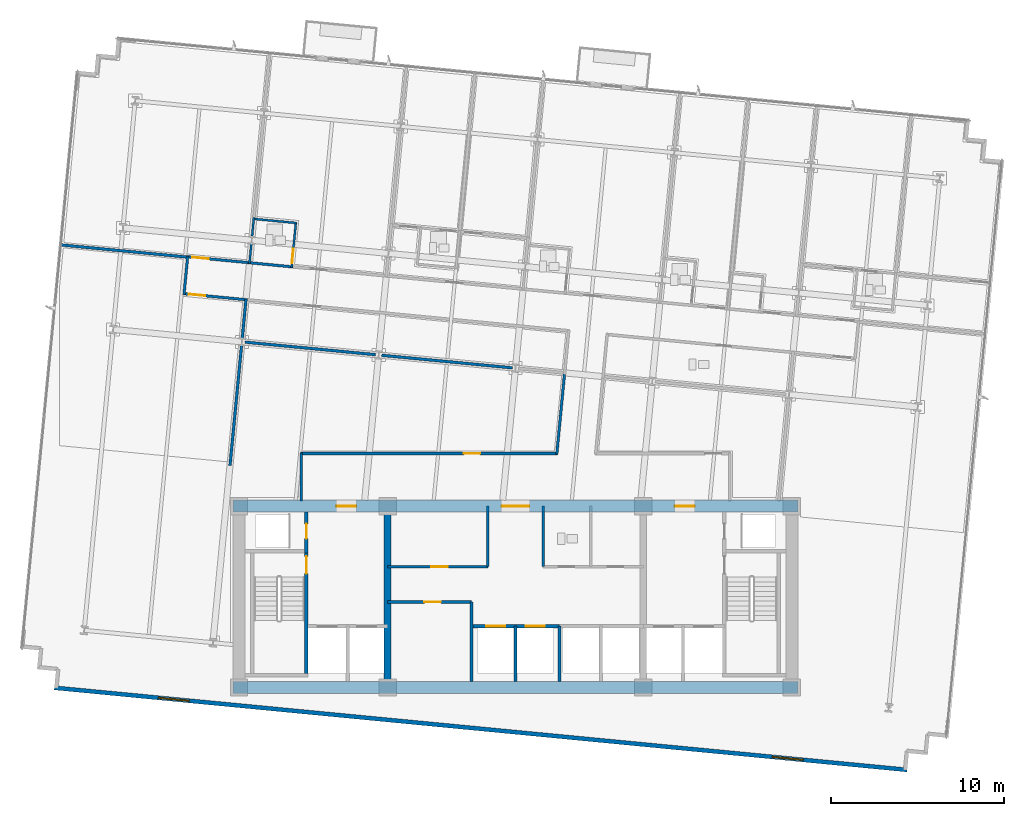
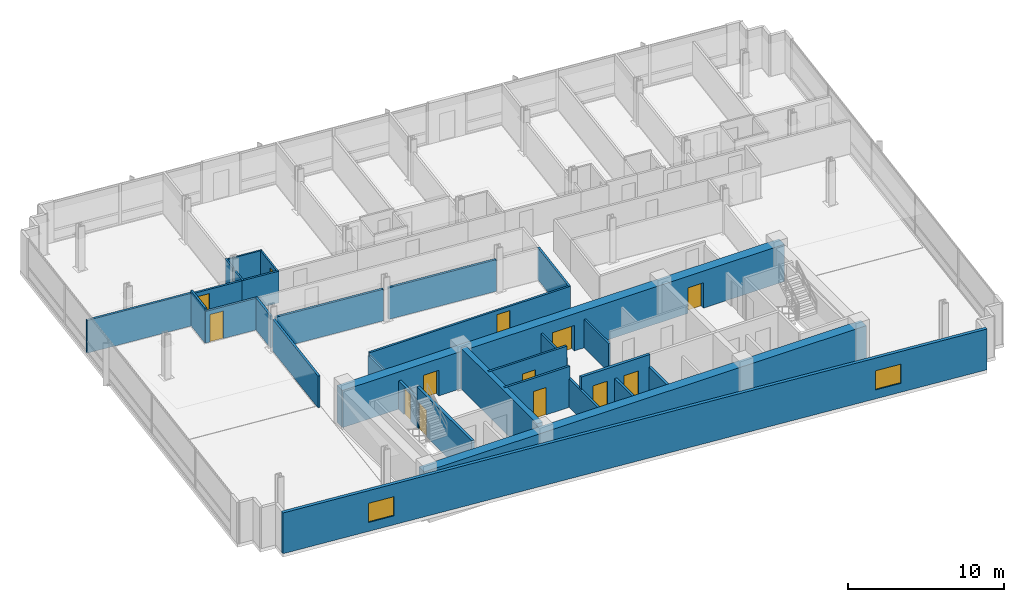
# One storey, part 10 of 17: 30 walls, 13 doors, 2 windows, 15 openings.
"""IFC4 building model written with IfcOpenShell, lengths in metres."""

from ifc_helpers import new_model, si_unit, direction, frame, frame_2d, origin, place, context, subcontext, project, spatial, rectangle, extrude, material, layer, layer_set, type_object, element, fill, save


model = new_model("IFC4")

# Units and contexts
model_context = context("Model", 3, precision=1e-05, world=origin(), true_north=direction((0.0, 1.0)))
body_context = subcontext(model_context, "Body", "Model", "MODEL_VIEW")
ifc_project = project(units=[si_unit("LENGTHUNIT", "METRE"), si_unit("AREAUNIT", "SQUARE_METRE"), si_unit("VOLUMEUNIT", "CUBIC_METRE"), si_unit("PLANEANGLEUNIT", "RADIAN"), si_unit("MASSUNIT", "GRAM", prefix="KILO")], contexts=[model_context])

# Site, building, storey
site_placement = place(None, origin())
site = spatial("IfcSite", under=ifc_project, at=site_placement, CompositionType="ELEMENT")
building_placement = place(site_placement, origin())
building = spatial("IfcBuilding", under=site, at=building_placement, Name="Solmavex Isthmus Hotel", CompositionType="ELEMENT")
storey_placement = place(building_placement, frame((0.0, 0.0, 139.35009765625)))
storey = spatial("IfcBuildingStorey", under=building, at=storey_placement, Name="L37", CompositionType="ELEMENT", Elevation=139.35009765625)

# Wall, openings, windows
ifc_material_1 = material(Name="Precast Concrete C40/50", Category="concrete")
ifc_layer_1 = layer(ifc_material_1, 0.25)
ifc_layer_set_1 = layer_set([ifc_layer_1], Name="Precast Concrete C40/50")
wall_type_1 = type_object("IfcWallType", Name="EW-TWR-250", PredefinedType="STANDARD", material=ifc_layer_set_1)
wall_1_placement = place(storey_placement, frame((-26.6953125, -13.01611328125, 0.0), z_axis=(0.0, 0.0, 1.0), x_axis=(0.995396268366, -0.095845025554, 0.0)))
wall_1 = element("IfcWall", 1, at=wall_1_placement, inside=storey, type_object=wall_type_1, Name="Tower Rear South Facade Wall L37", PredefinedType="STANDARD", context=body_context, shape_type="SweptSolid", body=[
    extrude(rectangle(XDim=49.599853515625, YDim=0.239990234375, at=frame_2d((24.7998046875, 0.0))), origin(), (0.0, 0.0, 1.0), 3.18994140625),
])
opening_1_placement = place(wall_1_placement, frame((6.0439453125, 0.0, 0.699951171875)))
opening_1 = element("IfcOpeningElement", 2, at=opening_1_placement, cuts=wall_1, Name="Opening WN-02", PredefinedType="OPENING", context=body_context, shape_type="SweptSolid", body=[
    extrude(rectangle(XDim=1.800048828125, YDim=1.5, at=frame_2d((0.89990234375, 0.75))), frame((0.0, 0.1298828125, 0.0), z_axis=(0.0, -1.0, 0.0), x_axis=(1.0, 0.0, 0.0)), (0.0, 0.0, 1.0), 0.260009765625),
])
opening_2_placement = place(wall_1_placement, frame((41.756103515625, 0.0, 0.699951171875)))
opening_2 = element("IfcOpeningElement", 3, at=opening_2_placement, cuts=wall_1, Name="Opening WN-02", PredefinedType="OPENING", context=body_context, shape_type="SweptSolid", body=[
    extrude(rectangle(XDim=1.800048828125, YDim=1.5, at=frame_2d((0.89990234375, 0.75))), frame((0.0, 0.1298828125, 0.0), z_axis=(0.0, -1.0, 0.0), x_axis=(1.0, 0.0, 0.0)), (0.0, 0.0, 1.0), 0.260009765625),
])
ifc_material_2 = material(Name="Clear low-E laminated glass", Category="glass")
window_type = type_object("IfcWindowType", Name="WIN-TWR-1800", PartitioningType="SINGLE_PANEL", PredefinedType="WINDOW", material=ifc_material_2)
window_1_placement = place(opening_1_placement, origin())
window_1 = element("IfcWindow", 4, at=window_1_placement, inside=storey, type_object=window_type, Name="South Facade Vision Window L37-S1", OverallHeight=1.5, OverallWidth=1.800048828125, PartitioningType="SINGLE_PANEL", PredefinedType="WINDOW", context=body_context, shape_type="SweptSolid", body=[
    extrude(rectangle(XDim=1.800048828125, YDim=1.5, at=frame_2d((0.89990234375, 0.75))), frame((0.0, 0.030029296875, 0.0), z_axis=(0.0, -1.0, 0.0), x_axis=(1.0, 0.0, 0.0)), (0.0, 0.0, 1.0), 0.06005859375),
])
fill(opening_1, window_1)
window_2_placement = place(opening_2_placement, origin())
window_2 = element("IfcWindow", 5, at=window_2_placement, inside=storey, type_object=window_type, Name="South Facade Vision Window L37-S2", OverallHeight=1.5, OverallWidth=1.800048828125, PartitioningType="SINGLE_PANEL", PredefinedType="WINDOW", context=body_context, shape_type="SweptSolid", body=[
    extrude(rectangle(XDim=1.800048828125, YDim=1.5, at=frame_2d((0.89990234375, 0.75))), frame((0.0, 0.030029296875, 0.0), z_axis=(0.0, -1.0, 0.0), x_axis=(1.0, 0.0, 0.0)), (0.0, 0.0, 1.0), 0.06005859375),
])
fill(opening_2, window_2)

# Wall, opening, door
ifc_material_3 = material(Name="Gypsum plasterboard lining", Category="gypsum")
ifc_layer_2 = layer(ifc_material_3, 0.159912109375)
ifc_layer_set_2 = layer_set([ifc_layer_2], Name="Gypsum plasterboard lining")
wall_type_2 = type_object("IfcWallType", Name="IW-COMP-160", PredefinedType="PARTITIONING", material=ifc_layer_set_2)
wall_2_placement = place(storey_placement, frame((-7.39990234375, -8.050048828125, 0.0), z_axis=(0.0, 0.0, 1.0), x_axis=(1.0, 0.0, 0.0)))
wall_2 = element("IfcWall", 6, at=wall_2_placement, inside=storey, type_object=wall_type_2, Name="Interior Partition Wall W-L37-REC-PLL-N", PredefinedType="PARTITIONING", context=body_context, shape_type="SweptSolid", body=[
    extrude(rectangle(XDim=4.849853515625, YDim=0.159912109375, at=frame_2d((2.4248046875, 0.0))), origin(), (0.0, 0.0, 1.0), 3.18994140625),
])
opening_3_placement = place(wall_2_placement, frame((2.125, 0.0, 0.0)))
opening_3 = element("IfcOpeningElement", 7, at=opening_3_placement, cuts=wall_2, Name="Opening ID-C095", PredefinedType="OPENING", context=body_context, shape_type="SweptSolid", body=[
    extrude(rectangle(XDim=0.949951171875, YDim=2.14990234375, at=frame_2d((0.47509765625, 1.074951171875))), frame((0.0, 0.08984375, 0.0), z_axis=(0.0, -1.0, 0.0), x_axis=(1.0, 0.0, 0.0)), (0.0, 0.0, 1.0), 0.179931640625),
])
ifc_material_4 = material(Name="Hardwood timber", Category="wood")
door_type_1 = type_object("IfcDoorType", Name="IDR-FD60-0950", OperationType="NOTDEFINED", PredefinedType="DOOR", material=ifc_material_4)
door_1_placement = place(opening_3_placement, origin())
door_1 = element("IfcDoor", 8, at=door_1_placement, inside=storey, type_object=door_type_1, Name="Linen Reserve Door L37", OperationType="SINGLE_SWING_LEFT", OverallHeight=2.14990234375, OverallWidth=0.949951171875, PredefinedType="DOOR", context=body_context, shape_type="SweptSolid", body=[
    extrude(rectangle(XDim=0.949951171875, YDim=2.14990234375, at=frame_2d((0.47509765625, 1.074951171875))), frame((0.0, 0.02490234375, 0.0), z_axis=(0.0, -1.0, 0.0), x_axis=(1.0, 0.0, 0.0)), (0.0, 0.0, 1.0), 0.050048828125),
])
fill(opening_3, door_1)

# Walls
wall_3_placement = place(storey_placement, frame((-2.550048828125, -12.64990234375, 0.0), z_axis=(0.0, 0.0, 1.0), x_axis=(0.0, 1.0, 0.0)))
element("IfcWall", 9, at=wall_3_placement, inside=storey, type_object=wall_type_2, Name="Interior Partition Wall W-L37-REC-PLL-E", PredefinedType="PARTITIONING", context=body_context, shape_type="SweptSolid", body=[
    extrude(rectangle(XDim=4.599853515625, YDim=0.159912109375, at=frame_2d((2.2998046875, 0.0))), origin(), (0.0, 0.0, 1.0), 2.224853515625),
])
wall_4_placement = place(storey_placement, frame((-18.942138671875, 11.91552734375, 0.0), z_axis=(0.0, 0.0, 1.0), x_axis=(-0.995395927026, 0.095848570461, 0.0)))
element("IfcWall", 10, at=wall_4_placement, inside=storey, type_object=wall_type_2, Name="Interior Partition Wall W-L37-P030", PredefinedType="PARTITIONING", context=body_context, shape_type="SweptSolid", body=[
    extrude(rectangle(XDim=7.44775390625, YDim=0.159912109375, at=frame_2d((3.723876953125, 0.0))), origin(), (0.0, 0.0, 1.0), 2.557373046875),
])
wall_5_placement = place(storey_placement, frame((-15.820556640625, 7.190673828125, 0.0), z_axis=(0.0, 0.0, 1.0), x_axis=(0.09580488871, 0.995400132258, 0.0)))
element("IfcWall", 11, at=wall_5_placement, inside=storey, type_object=wall_type_2, Name="Interior Partition Wall W-L37-P075", PredefinedType="PARTITIONING", context=body_context, shape_type="SweptSolid", body=[
    extrude(rectangle(XDim=2.31396484375, YDim=0.159912109375, at=frame_2d((1.156982421875, 0.0))), origin(), (0.0, 0.0, 1.0), 2.4794921875),
])
for number, where, z_axis, x_axis, name in (
    (12, (-8.09326171875, 6.269775390625, 0.0), (0.0, 0.0, 1.0), (-0.995396962155, 0.095837819954, 0.0), "Interior Partition Wall W-L37-P076"),
    (13, (-0.173828125, 5.507080078125, 0.0), (0.0, 0.0, 1.0), (-0.995393898805, 0.095869631385, 0.0), "Interior Partition Wall W-L37-P077"),
):
    element("IfcWall", number, at=place(storey_placement, frame(where, z_axis=z_axis, x_axis=x_axis)), inside=storey, type_object=wall_type_2, Name=name, PredefinedType="PARTITIONING", context=body_context, shape_type="SweptSolid", body=[
        extrude(rectangle(XDim=7.60400390625, YDim=0.159912109375, at=frame_2d((3.802001953125, 0.0))), origin(), (0.0, 0.0, 1.0), 2.4794921875),
    ])
wall_6_placement = place(storey_placement, frame((-15.854248046875, 6.84033203125, 0.0), z_axis=(0.0, 0.0, 1.0), x_axis=(-0.095860309466, -0.995394796585, 0.0)))
element("IfcWall", 14, at=wall_6_placement, inside=storey, type_object=wall_type_2, Name="Interior Partition Wall W-L37-P080", PredefinedType="PARTITIONING", context=body_context, shape_type="SweptSolid", body=[
    extrude(rectangle(XDim=7.013916015625, YDim=0.159912109375, at=frame_2d((3.5068359375, 0.0))), origin(), (0.0, 0.0, 1.0), 2.4794921875),
])

# Wall, opening, door
ifc_layer_3 = layer(ifc_material_3, 0.14990234375)
ifc_layer_set_3 = layer_set([ifc_layer_3], Name="Gypsum plasterboard lining")
wall_type_3 = type_object("IfcWallType", Name="IW-CORR-150", PredefinedType="PARTITIONING", material=ifc_layer_set_3)
wall_7_placement = place(storey_placement, frame((-7.39990234375, -6.0, 0.0), z_axis=(0.0, 0.0, 1.0), x_axis=(1.0, 0.0, 0.0)))
wall_7 = element("IfcWall", 15, at=wall_7_placement, inside=storey, type_object=wall_type_3, Name="Interior Partition Wall W-L37-BOH-WS", PredefinedType="PARTITIONING", context=body_context, shape_type="SweptSolid", body=[
    extrude(rectangle(XDim=5.7998046875, YDim=0.14990234375, at=frame_2d((2.89990234375, 0.0))), origin(), (0.0, 0.0, 1.0), 3.18994140625),
])
opening_4_placement = place(wall_7_placement, frame((2.52490234375, 0.0, 0.0)))
opening_4 = element("IfcOpeningElement", 16, at=opening_4_placement, cuts=wall_7, Name="Opening ID-C095", PredefinedType="OPENING", context=body_context, shape_type="SweptSolid", body=[
    extrude(rectangle(XDim=0.949951171875, YDim=2.14990234375, at=frame_2d((0.47509765625, 1.074951171875))), frame((0.0, 0.0849609375, 0.0), z_axis=(0.0, -1.0, 0.0), x_axis=(1.0, 0.0, 0.0)), (0.0, 0.0, 1.0), 0.169921875),
])
door_2_placement = place(opening_4_placement, frame((0.949951171875, 0.0, 0.0), z_axis=(0.0, 0.0, 1.0), x_axis=(-1.0, 0.0, 0.0)))
door_2 = element("IfcDoor", 17, at=door_2_placement, inside=storey, type_object=door_type_1, Name="Housekeeping Room Door L37", OperationType="SINGLE_SWING_LEFT", OverallHeight=2.14990234375, OverallWidth=0.949951171875, PredefinedType="DOOR", context=body_context, shape_type="SweptSolid", body=[
    extrude(rectangle(XDim=0.949951171875, YDim=2.14990234375, at=frame_2d((0.47509765625, 1.074951171875))), frame((0.0, 0.02490234375, 0.0), z_axis=(0.0, -1.0, 0.0), x_axis=(1.0, 0.0, 0.0)), (0.0, 0.0, 1.0), 0.050048828125),
])
fill(opening_4, door_2)

# Walls
for number, where, z_axis, x_axis, name in (
    (18, (-1.60009765625, -6.0, 0.0), (0.0, 0.0, 1.0), (0.0, 1.0, 0.0), "Interior Partition Wall W-L37-BOH-WE"),
    (19, (1.60009765625, -6.0, 0.0), (0.0, 0.0, 1.0), (0.0, 1.0, 0.0), "Interior Partition Wall W-L37-BOH-EW"),
):
    element("IfcWall", number, at=place(storey_placement, frame(where, z_axis=z_axis, x_axis=x_axis)), inside=storey, type_object=wall_type_3, Name=name, PredefinedType="PARTITIONING", context=body_context, shape_type="SweptSolid", body=[
        extrude(rectangle(XDim=3.5, YDim=0.14990234375, at=frame_2d((1.75, 0.0))), origin(), (0.0, 0.0, 1.0), 2.224853515625),
    ])

# Wall, opening, door
wall_8_placement = place(storey_placement, frame((-19.019775390625, 11.943115234375, 0.0), z_axis=(0.0, 0.0, 1.0), x_axis=(0.995397364202, -0.095833644092, 0.0)))
wall_8 = element("IfcWall", 20, at=wall_8_placement, inside=storey, type_object=wall_type_3, Name="Interior Partition Wall W-L37-P001", PredefinedType="PARTITIONING", context=body_context, shape_type="SweptSolid", body=[
    extrude(rectangle(XDim=3.721923828125, YDim=0.14990234375, at=frame_2d((1.86083984375, 0.0))), origin(), (0.0, 0.0, 1.0), 2.4794921875),
])
opening_5_placement = place(wall_8_placement, frame((0.315185546875, 0.0, 0.0)))
opening_5 = element("IfcOpeningElement", 21, at=opening_5_placement, cuts=wall_8, Name="Opening ID-C095", PredefinedType="OPENING", context=body_context, shape_type="SweptSolid", body=[
    extrude(rectangle(XDim=0.949951171875, YDim=2.14990234375, at=frame_2d((0.47509765625, 1.074951171875))), frame((0.0, 0.0849609375, 0.0), z_axis=(0.0, -1.0, 0.0), x_axis=(1.0, 0.0, 0.0)), (0.0, 0.0, 1.0), 0.169921875),
])
door_3_placement = place(opening_5_placement, frame((0.949951171875, 0.0, 0.0), z_axis=(0.0, 0.0, 1.0), x_axis=(-1.0, 0.0, 0.0)))
door_3 = element("IfcDoor", 22, at=door_3_placement, inside=storey, type_object=door_type_1, Name="Executive Hospitality Lounge Door L37-01", OperationType="SINGLE_SWING_LEFT", OverallHeight=2.14990234375, OverallWidth=0.949951171875, PredefinedType="DOOR", context=body_context, shape_type="SweptSolid", body=[
    extrude(rectangle(XDim=0.949951171875, YDim=2.14990234375, at=frame_2d((0.47509765625, 1.074951171875))), frame((0.0, 0.02490234375, 0.0), z_axis=(0.0, -1.0, 0.0), x_axis=(1.0, 0.0, 0.0)), (0.0, 0.0, 1.0), 0.050048828125),
])
fill(opening_5, door_3)

# Wall
wall_9_placement = place(storey_placement, frame((-15.478271484375, 11.60205078125, 0.0), z_axis=(0.0, 0.0, 1.0), x_axis=(0.995398413865, -0.095822740911, 0.0)))
element("IfcWall", 23, at=wall_9_placement, inside=storey, type_object=wall_type_3, Name="Interior Partition Wall W-L37-P003", PredefinedType="PARTITIONING", context=body_context, shape_type="SweptSolid", body=[
    extrude(rectangle(XDim=2.614013671875, YDim=0.14990234375, at=frame_2d((1.30712890625, 0.0))), origin(), (0.0, 0.0, 1.0), 2.4794921875),
])

# Wall, opening, door
wall_10_placement = place(storey_placement, frame((-15.52099609375, 9.4462890625, 0.0), z_axis=(0.0, 0.0, 1.0), x_axis=(-0.995397364202, 0.095833644092, 0.0)))
wall_10 = element("IfcWall", 24, at=wall_10_placement, inside=storey, type_object=wall_type_3, Name="Interior Partition Wall W-L37-P021", PredefinedType="PARTITIONING", context=body_context, shape_type="SweptSolid", body=[
    extrude(rectangle(XDim=3.721923828125, YDim=0.14990234375, at=frame_2d((1.86083984375, 0.0))), origin(), (0.0, 0.0, 1.0), 2.4794921875),
])
opening_6_placement = place(wall_10_placement, frame((2.456787109375, 0.0, 0.0)))
opening_6 = element("IfcOpeningElement", 25, at=opening_6_placement, cuts=wall_10, Name="Opening ID-C095", PredefinedType="OPENING", context=body_context, shape_type="SweptSolid", body=[
    extrude(rectangle(XDim=0.949951171875, YDim=2.14990234375, at=frame_2d((0.47509765625, 1.074951171875))), frame((0.0, 0.0849609375, 0.0), z_axis=(0.0, -1.0, 0.0), x_axis=(1.0, 0.0, 0.0)), (0.0, 0.0, 1.0), 0.169921875),
])
door_4_placement = place(opening_6_placement, frame((0.949951171875, 0.0, 0.0), z_axis=(0.0, 0.0, 1.0), x_axis=(-1.0, 0.0, 0.0)))
door_4 = element("IfcDoor", 26, at=door_4_placement, inside=storey, type_object=door_type_1, Name="Executive Hospitality Lounge Door L37-22", OperationType="SINGLE_SWING_RIGHT", OverallHeight=2.14990234375, OverallWidth=0.949951171875, PredefinedType="DOOR", context=body_context, shape_type="SweptSolid", body=[
    extrude(rectangle(XDim=0.949951171875, YDim=2.14990234375, at=frame_2d((0.47509765625, 1.074951171875))), frame((0.0, 0.02490234375, 0.0), z_axis=(0.0, -1.0, 0.0), x_axis=(1.0, 0.0, 0.0)), (0.0, 0.0, 1.0), 0.050048828125),
])
fill(opening_6, door_4)

# Walls
wall_11_placement = place(storey_placement, frame((-19.18994140625, 9.75927734375, 0.0), z_axis=(0.0, 0.0, 1.0), x_axis=(0.095882898123, 0.995392620953, 0.0)))
element("IfcWall", 27, at=wall_11_placement, inside=storey, type_object=wall_type_3, Name="Interior Partition Wall W-L37-P022", PredefinedType="PARTITIONING", context=body_context, shape_type="SweptSolid", body=[
    extrude(rectangle(XDim=2.210205078125, YDim=0.14990234375, at=frame_2d((1.10498046875, 0.0))), origin(), (0.0, 0.0, 1.0), 2.718017578125),
])
wall_12_placement = place(storey_placement, frame((-12.39990234375, -2.18994140625, 0.0), z_axis=(0.0, 0.0, 1.0), x_axis=(0.0, 1.0, 0.0)))
element("IfcWall", 28, at=wall_12_placement, inside=storey, type_object=wall_type_3, Name="Interior Partition Wall W-L37-P023", PredefinedType="PARTITIONING", context=body_context, shape_type="SweptSolid", body=[
    extrude(rectangle(XDim=2.780029296875, YDim=0.14990234375, at=frame_2d((1.39013671875, 0.0))), origin(), (0.0, 0.0, 1.0), 2.224853515625),
])

# Wall, opening, door
wall_13_placement = place(storey_placement, frame((-12.43994140625, 0.550048828125, 0.0), z_axis=(0.0, 0.0, 1.0), x_axis=(1.0, 0.0, 0.0)))
wall_13 = element("IfcWall", 29, at=wall_13_placement, inside=storey, type_object=wall_type_3, Name="Interior Partition Wall W-L37-P024", PredefinedType="PARTITIONING", context=body_context, shape_type="SweptSolid", body=[
    extrude(rectangle(XDim=14.876708984375, YDim=0.14990234375, at=frame_2d((7.4384765625, 0.0))), origin(), (0.0, 0.0, 1.0), 2.4794921875),
])
opening_7_placement = place(wall_13_placement, frame((9.44921875, 0.0, 0.0)))
opening_7 = element("IfcOpeningElement", 30, at=opening_7_placement, cuts=wall_13, Name="Opening ID-C095", PredefinedType="OPENING", context=body_context, shape_type="SweptSolid", body=[
    extrude(rectangle(XDim=0.949951171875, YDim=2.14990234375, at=frame_2d((0.47509765625, 1.074951171875))), frame((0.0, 0.0849609375, 0.0), z_axis=(0.0, -1.0, 0.0), x_axis=(1.0, 0.0, 0.0)), (0.0, 0.0, 1.0), 0.169921875),
])
door_5_placement = place(opening_7_placement, frame((0.949951171875, 0.0, 0.0), z_axis=(0.0, 0.0, 1.0), x_axis=(-1.0, 0.0, 0.0)))
door_5 = element("IfcDoor", 31, at=door_5_placement, inside=storey, type_object=door_type_1, Name="Wellness Hydrotherapy Lounge Door L37-23", OperationType="SINGLE_SWING_LEFT", OverallHeight=2.14990234375, OverallWidth=0.949951171875, PredefinedType="DOOR", context=body_context, shape_type="SweptSolid", body=[
    extrude(rectangle(XDim=0.949951171875, YDim=2.14990234375, at=frame_2d((0.47509765625, 1.074951171875))), frame((0.0, 0.02490234375, 0.0), z_axis=(0.0, -1.0, 0.0), x_axis=(1.0, 0.0, 0.0)), (0.0, 0.0, 1.0), 0.050048828125),
])
fill(opening_7, door_5)

# Walls
wall_14_placement = place(storey_placement, frame((2.39306640625, 0.51025390625, 0.0), z_axis=(0.0, 0.0, 1.0), x_axis=(0.095829431913, 0.995397769728, 0.0)))
element("IfcWall", 32, at=wall_14_placement, inside=storey, type_object=wall_type_3, Name="Interior Partition Wall W-L37-P025", PredefinedType="PARTITIONING", context=body_context, shape_type="SweptSolid", body=[
    extrude(rectangle(XDim=4.81005859375, YDim=0.14990234375, at=frame_2d((2.405029296875, 0.0))), origin(), (0.0, 0.0, 1.0), 2.4794921875),
])
ifc_layer_4 = layer(ifc_material_3, 0.1201171875)
ifc_layer_set_4 = layer_set([ifc_layer_4], Name="Gypsum plasterboard lining")
wall_type_4 = type_object("IfcWallType", Name="IW-PART-120", PredefinedType="PARTITIONING", material=ifc_layer_set_4)
wall_15_placement = place(storey_placement, frame((-15.2880859375, 12.720947265625, 0.0), z_axis=(0.0, 0.0, 1.0), x_axis=(-0.095831494917, -0.995397571115, 0.0)))
element("IfcWall", 33, at=wall_15_placement, inside=storey, type_object=wall_type_4, Name="Interior Partition Wall W-L37-P028", PredefinedType="PARTITIONING", context=body_context, shape_type="SweptSolid", body=[
    extrude(rectangle(XDim=1.171875, YDim=0.1201171875, at=frame_2d((0.5859375, 0.0))), origin(), (0.0, 0.0, 1.0), 2.4794921875),
])
wall_16_placement = place(storey_placement, frame((-15.144287109375, 14.214111328125, 0.0), z_axis=(0.0, 0.0, 1.0), x_axis=(-0.09590284245, -0.99539069958, 0.0)))
element("IfcWall", 34, at=wall_16_placement, inside=storey, type_object=wall_type_4, Name="Interior Partition Wall W-L37-P029", PredefinedType="PARTITIONING", context=body_context, shape_type="SweptSolid", body=[
    extrude(rectangle(XDim=1.148193359375, YDim=0.1201171875, at=frame_2d((0.57421875, 0.0))), origin(), (0.0, 0.0, 1.0), 2.4794921875),
])

# Wall, opening, door
wall_17_placement = place(storey_placement, frame((-12.961669921875, 11.319580078125, 0.0), z_axis=(0.0, 0.0, 1.0), x_axis=(0.095799078022, 0.995400691506, 0.0)))
wall_17 = element("IfcWall", 35, at=wall_17_placement, inside=storey, type_object=wall_type_4, Name="Interior Partition Wall W-L37-P031", PredefinedType="PARTITIONING", context=body_context, shape_type="SweptSolid", body=[
    extrude(rectangle(XDim=2.630126953125, YDim=0.1201171875, at=frame_2d((1.31494140625, 0.0))), origin(), (0.0, 0.0, 1.0), 2.4794921875),
])
opening_8_placement = place(wall_17_placement, frame((0.247314453125, 0.0, 0.0)))
opening_8 = element("IfcOpeningElement", 36, at=opening_8_placement, cuts=wall_17, Name="Opening ID-U085", PredefinedType="OPENING", context=body_context, shape_type="SweptSolid", body=[
    extrude(rectangle(XDim=0.85009765625, YDim=2.10009765625, at=frame_2d((0.425048828125, 1.050048828125))), frame((0.0, 0.070068359375, 0.0), z_axis=(0.0, -1.0, 0.0), x_axis=(1.0, 0.0, 0.0)), (0.0, 0.0, 1.0), 0.14013671875),
])
door_type_2 = type_object("IfcDoorType", Name="IDR-UNR-0850", OperationType="NOTDEFINED", PredefinedType="DOOR", material=ifc_material_4)
door_6_placement = place(opening_8_placement, frame((0.85009765625, 0.0, 0.0), z_axis=(0.0, 0.0, 1.0), x_axis=(-1.0, 0.0, 0.0)))
door_6 = element("IfcDoor", 37, at=door_6_placement, inside=storey, type_object=door_type_2, Name="En-suite Bathroom Door L37-03", OperationType="SINGLE_SWING_LEFT", OverallHeight=2.10009765625, OverallWidth=0.85009765625, PredefinedType="DOOR", context=body_context, shape_type="SweptSolid", body=[
    extrude(rectangle(XDim=0.85009765625, YDim=2.10009765625, at=frame_2d((0.425048828125, 1.050048828125))), frame((0.0, 0.02490234375, 0.0), z_axis=(0.0, -1.0, 0.0), x_axis=(1.0, 0.0, 0.0)), (0.0, 0.0, 1.0), 0.050048828125),
])
fill(opening_8, door_6)

# Walls
wall_18_placement = place(storey_placement, frame((-12.673583984375, 13.893798828125, 0.0), z_axis=(0.0, 0.0, 1.0), x_axis=(-0.995398237687, 0.095824571015, 0.0)))
element("IfcWall", 38, at=wall_18_placement, inside=storey, type_object=wall_type_4, Name="Interior Partition Wall W-L37-P032", PredefinedType="PARTITIONING", context=body_context, shape_type="SweptSolid", body=[
    extrude(rectangle(XDim=2.530029296875, YDim=0.1201171875, at=frame_2d((1.26513671875, 0.0))), origin(), (0.0, 0.0, 1.0), 2.4794921875),
])
ifc_material_5 = material(Name="Concrete C40/50", Category="concrete")
ifc_layer_5 = layer(ifc_material_5, 0.179931640625)
ifc_layer_set_5 = layer_set([ifc_layer_5], Name="Concrete C40/50")
wall_type_5 = type_object("IfcWallType", Name="IW-SHAFT-180", PredefinedType="PARTITIONING", material=ifc_layer_set_5)
wall_19_placement = place(storey_placement, frame((0.0, -12.64990234375, 0.0), z_axis=(0.0, 0.0, 1.0), x_axis=(0.0, 1.0, 0.0)))
element("IfcWall", 39, at=wall_19_placement, inside=storey, type_object=wall_type_5, Name="Interior Partition Wall W-L37-SH-PLM-M", PredefinedType="PARTITIONING", context=body_context, shape_type="SweptSolid", body=[
    extrude(rectangle(XDim=3.199951171875, YDim=0.179931640625, at=frame_2d((1.60009765625, 0.0))), origin(), (0.0, 0.0, 1.0), 2.224853515625),
])

# Wall, opening, door
ifc_layer_6 = layer(ifc_material_5, 0.199951171875)
ifc_layer_set_6 = layer_set([ifc_layer_6], Name="Concrete C40/50")
wall_type_6 = type_object("IfcWallType", Name="IW-SHAFT-200", PredefinedType="PARTITIONING", material=ifc_layer_set_6)
wall_20_placement = place(storey_placement, frame((-12.10009765625, -5.199951171875, 0.0), z_axis=(0.0, 0.0, 1.0), x_axis=(0.0, 1.0, 0.0)))
wall_20 = element("IfcWall", 40, at=wall_20_placement, inside=storey, type_object=wall_type_6, Name="Interior Partition Wall W-L37-RSW-E", PredefinedType="PARTITIONING", context=body_context, shape_type="SweptSolid", body=[
    extrude(rectangle(XDim=2.349853515625, YDim=0.199951171875, at=frame_2d((1.1748046875, 0.0))), origin(), (0.0, 0.0, 1.0), 2.224853515625),
])
opening_9_placement = place(wall_20_placement, frame((0.824951171875, 0.0, 0.0)))
opening_9 = element("IfcOpeningElement", 41, at=opening_9_placement, cuts=wall_20, Name="Opening ID-R085", PredefinedType="OPENING", context=body_context, shape_type="SweptSolid", body=[
    extrude(rectangle(XDim=0.85009765625, YDim=2.050048828125, at=frame_2d((0.425048828125, 1.02490234375))), frame((0.0, 0.10986328125, 0.0), z_axis=(0.0, -1.0, 0.0), x_axis=(1.0, 0.0, 0.0)), (0.0, 0.0, 1.0), 0.219970703125),
])
ifc_material_6 = material(Name="Steel ASTM A500 Grade C", Category="steel")
door_type_3 = type_object("IfcDoorType", Name="IDR-FD60-0850", OperationType="NOTDEFINED", PredefinedType="DOOR", material=ifc_material_6)
door_7_placement = place(opening_9_placement, origin())
door_7 = element("IfcDoor", 42, at=door_7_placement, inside=storey, type_object=door_type_3, Name="Electrical Riser Door L37", OperationType="SINGLE_SWING_RIGHT", OverallHeight=2.050048828125, OverallWidth=0.85009765625, PredefinedType="DOOR", context=body_context, shape_type="SweptSolid", body=[
    extrude(rectangle(XDim=0.85009765625, YDim=2.050048828125, at=frame_2d((0.425048828125, 1.02490234375))), frame((0.0, 0.02490234375, 0.0), z_axis=(0.0, -1.0, 0.0), x_axis=(1.0, 0.0, 0.0)), (0.0, 0.0, 1.0), 0.050048828125),
])
fill(opening_9, door_7)

# Wall, openings, doors
wall_21_placement = place(storey_placement, frame((-2.550048828125, -9.449951171875, 0.0), z_axis=(0.0, 0.0, 1.0), x_axis=(1.0, 0.0, 0.0)))
wall_21 = element("IfcWall", 43, at=wall_21_placement, inside=storey, type_object=wall_type_6, Name="Interior Partition Wall W-L37-SH-PLM", PredefinedType="PARTITIONING", context=body_context, shape_type="SweptSolid", body=[
    extrude(rectangle(XDim=5.10009765625, YDim=0.199951171875, at=frame_2d((2.550048828125, 0.0))), origin(), (0.0, 0.0, 1.0), 3.18994140625),
])
opening_10_placement = place(wall_21_placement, frame((0.85009765625, 0.0, 0.0)))
opening_10 = element("IfcOpeningElement", 44, at=opening_10_placement, cuts=wall_21, Name="Opening LD-PL", PredefinedType="OPENING", context=body_context, shape_type="SweptSolid", body=[
    extrude(rectangle(XDim=1.10009765625, YDim=2.199951171875, at=frame_2d((0.550048828125, 1.10009765625))), frame((0.0, 0.10986328125, 0.0), z_axis=(0.0, -1.0, 0.0), x_axis=(1.0, 0.0, 0.0)), (0.0, 0.0, 1.0), 0.219970703125),
])
opening_11_placement = place(wall_21_placement, frame((3.14990234375, 0.0, 0.0)))
opening_11 = element("IfcOpeningElement", 45, at=opening_11_placement, cuts=wall_21, Name="Opening LD-PL", PredefinedType="OPENING", context=body_context, shape_type="SweptSolid", body=[
    extrude(rectangle(XDim=1.10009765625, YDim=2.199951171875, at=frame_2d((0.550048828125, 1.10009765625))), frame((0.0, 0.10986328125, 0.0), z_axis=(0.0, -1.0, 0.0), x_axis=(1.0, 0.0, 0.0)), (0.0, 0.0, 1.0), 0.219970703125),
])
ifc_material_7 = material(Name="Stainless steel 316", Category="steel")
door_type_4 = type_object("IfcDoorType", Name="LDR-PL-1100", OperationType="NOTDEFINED", PredefinedType="DOOR", material=ifc_material_7)
door_8_placement = place(opening_10_placement, origin())
door_8 = element("IfcDoor", 46, at=door_8_placement, inside=storey, type_object=door_type_4, Name="Lift Landing Door PLM1 L37", OperationType="SLIDING_TO_RIGHT", OverallHeight=2.199951171875, OverallWidth=1.10009765625, PredefinedType="DOOR", context=body_context, shape_type="SweptSolid", body=[
    extrude(rectangle(XDim=1.10009765625, YDim=2.199951171875, at=frame_2d((0.550048828125, 1.10009765625))), frame((0.0, 0.02490234375, 0.0), z_axis=(0.0, -1.0, 0.0), x_axis=(1.0, 0.0, 0.0)), (0.0, 0.0, 1.0), 0.050048828125),
])
fill(opening_10, door_8)
door_9_placement = place(opening_11_placement, origin())
door_9 = element("IfcDoor", 47, at=door_9_placement, inside=storey, type_object=door_type_4, Name="Lift Landing Door PLM2 L37", OperationType="SLIDING_TO_RIGHT", OverallHeight=2.199951171875, OverallWidth=1.10009765625, PredefinedType="DOOR", context=body_context, shape_type="SweptSolid", body=[
    extrude(rectangle(XDim=1.10009765625, YDim=2.199951171875, at=frame_2d((0.550048828125, 1.10009765625))), frame((0.0, 0.02490234375, 0.0), z_axis=(0.0, -1.0, 0.0), x_axis=(1.0, 0.0, 0.0)), (0.0, 0.0, 1.0), 0.050048828125),
])
fill(opening_11, door_9)

# Walls
wall_22_placement = place(storey_placement, frame((2.550048828125, -12.64990234375, 0.0), z_axis=(0.0, 0.0, 1.0), x_axis=(0.0, 1.0, 0.0)))
element("IfcWall", 48, at=wall_22_placement, inside=storey, type_object=wall_type_6, Name="Interior Partition Wall W-L37-SH-PLM-E", PredefinedType="PARTITIONING", context=body_context, shape_type="SweptSolid", body=[
    extrude(rectangle(XDim=3.199951171875, YDim=0.199951171875, at=frame_2d((1.60009765625, 0.0))), origin(), (0.0, 0.0, 1.0), 2.224853515625),
])
ifc_material_8 = material(Name="Concrete C60/75", Category="concrete")
ifc_layer_7 = layer(ifc_material_8, 0.39990234375)
ifc_layer_set_7 = layer_set([ifc_layer_7], Name="Concrete C60/75")
wall_type_7 = type_object("IfcWallType", Name="WALL-CW-400M", PredefinedType="SHEAR", material=ifc_layer_set_7)
wall_23_placement = place(storey_placement, frame((-7.39990234375, -12.64990234375, 0.0), z_axis=(0.0, 0.0, 1.0), x_axis=(0.0, 1.0, 0.0)))
element("IfcWall", 49, at=wall_23_placement, inside=storey, type_object=wall_type_7, Name="Core Cross Shear Wall C1 L37", PredefinedType="SHEAR", context=body_context, shape_type="SweptSolid", body=[
    extrude(rectangle(XDim=9.7998046875, YDim=0.39990234375, at=frame_2d((4.89990234375, 0.0))), origin(), (0.0, 0.0, 1.0), 3.18994140625),
])
ifc_layer_8 = layer(ifc_material_8, 0.699951171875)
ifc_layer_set_8 = layer_set([ifc_layer_8], Name="Concrete C60/75")
wall_type_8 = type_object("IfcWallType", Name="WALL-CW-700", PredefinedType="SHEAR", material=ifc_layer_set_8)
wall_24_placement = place(storey_placement, frame((-16.35009765625, -13.0, 0.0), z_axis=(0.0, 0.0, 1.0), x_axis=(1.0, 0.0, 0.0)))
element("IfcWall", 50, at=wall_24_placement, inside=storey, type_object=wall_type_8, Name="Core Shear Wall South L37", PredefinedType="SHEAR", context=body_context, shape_type="SweptSolid", body=[
    extrude(rectangle(XDim=32.7001953125, YDim=0.699951171875, at=frame_2d((16.35009765625, 0.0))), origin(), (0.0, 0.0, 1.0), 2.909912109375),
])

# Wall, openings, doors
wall_25_placement = place(storey_placement, frame((-16.35009765625, -2.5, 0.0), z_axis=(0.0, 0.0, 1.0), x_axis=(1.0, 0.0, 0.0)))
wall_25 = element("IfcWall", 51, at=wall_25_placement, inside=storey, type_object=wall_type_8, Name="Core Shear Wall North L37", PredefinedType="SHEAR", context=body_context, shape_type="SweptSolid", body=[
    extrude(rectangle(XDim=32.7001953125, YDim=0.699951171875, at=frame_2d((16.35009765625, 0.0))), origin(), (0.0, 0.0, 1.0), 2.909912109375),
])
opening_12_placement = place(wall_25_placement, frame((5.97509765625, 0.0, 0.0)))
opening_12 = element("IfcOpeningElement", 52, at=opening_12_placement, cuts=wall_25, Name="Opening ID-F915", PredefinedType="OPENING", context=body_context, shape_type="SweptSolid", body=[
    extrude(rectangle(XDim=1.14990234375, YDim=2.0, at=frame_2d((0.574951171875, 1.0))), frame((0.0, 0.35986328125, 0.0), z_axis=(0.0, -1.0, 0.0), x_axis=(1.0, 0.0, 0.0)), (0.0, 0.0, 1.0), 0.719970703125),
])
opening_13_placement = place(wall_25_placement, frame((15.550048828125, 0.0, 0.0)))
opening_13 = element("IfcOpeningElement", 53, at=opening_13_placement, cuts=wall_25, Name="Opening ID-F960", PredefinedType="OPENING", context=body_context, shape_type="SweptSolid", body=[
    extrude(rectangle(XDim=1.60009765625, YDim=2.0, at=frame_2d((0.800048828125, 1.0))), frame((0.0, 0.35986328125, 0.0), z_axis=(0.0, -1.0, 0.0), x_axis=(1.0, 0.0, 0.0)), (0.0, 0.0, 1.0), 0.719970703125),
])
opening_14_placement = place(wall_25_placement, frame((25.574951171875, 0.0, 0.0)))
opening_14 = element("IfcOpeningElement", 54, at=opening_14_placement, cuts=wall_25, Name="Opening ID-F915", PredefinedType="OPENING", context=body_context, shape_type="SweptSolid", body=[
    extrude(rectangle(XDim=1.14990234375, YDim=2.0, at=frame_2d((0.574951171875, 1.0))), frame((0.0, 0.35986328125, 0.0), z_axis=(0.0, -1.0, 0.0), x_axis=(1.0, 0.0, 0.0)), (0.0, 0.0, 1.0), 0.719970703125),
])
door_type_5 = type_object("IfcDoorType", Name="IDR-FD90-1150C", OperationType="NOTDEFINED", PredefinedType="DOOR", material=ifc_material_6)
door_10_placement = place(opening_12_placement, origin())
door_10 = element("IfcDoor", 55, at=door_10_placement, inside=storey, type_object=door_type_5, Name="Firefighting Lobby West Exit Door L37", OperationType="SINGLE_SWING_LEFT", OverallHeight=2.0, OverallWidth=1.14990234375, PredefinedType="DOOR", context=body_context, shape_type="SweptSolid", body=[
    extrude(rectangle(XDim=1.14990234375, YDim=2.0, at=frame_2d((0.574951171875, 1.0))), frame((0.0, 0.02490234375, 0.0), z_axis=(0.0, -1.0, 0.0), x_axis=(1.0, 0.0, 0.0)), (0.0, 0.0, 1.0), 0.050048828125),
])
fill(opening_12, door_10)
door_11_placement = place(opening_14_placement, origin())
door_11 = element("IfcDoor", 56, at=door_11_placement, inside=storey, type_object=door_type_5, Name="Firefighting Lobby East Exit Door L37", OperationType="SINGLE_SWING_RIGHT", OverallHeight=2.0, OverallWidth=1.14990234375, PredefinedType="DOOR", context=body_context, shape_type="SweptSolid", body=[
    extrude(rectangle(XDim=1.14990234375, YDim=2.0, at=frame_2d((0.574951171875, 1.0))), frame((0.0, 0.02490234375, 0.0), z_axis=(0.0, -1.0, 0.0), x_axis=(1.0, 0.0, 0.0)), (0.0, 0.0, 1.0), 0.050048828125),
])
fill(opening_14, door_11)
door_type_6 = type_object("IfcDoorType", Name="IDR-FD90-1600C", OperationType="NOTDEFINED", PredefinedType="DOOR", material=ifc_material_6)
door_12_placement = place(opening_13_placement, origin())
door_12 = element("IfcDoor", 57, at=door_12_placement, inside=storey, type_object=door_type_6, Name="Central Lift Lobby Door L37", OperationType="DOUBLE_DOOR_SINGLE_SWING", OverallHeight=2.0, OverallWidth=1.60009765625, PredefinedType="DOOR", context=body_context, shape_type="SweptSolid", body=[
    extrude(rectangle(XDim=1.60009765625, YDim=2.0, at=frame_2d((0.800048828125, 1.0))), frame((0.0, 0.02490234375, 0.0), z_axis=(0.0, -1.0, 0.0), x_axis=(1.0, 0.0, 0.0)), (0.0, 0.0, 1.0), 0.050048828125),
])
fill(opening_13, door_12)

# Wall, opening, door
ifc_layer_9 = layer(ifc_material_5, 0.199951171875)
ifc_layer_set_9 = layer_set([ifc_layer_9], Name="Concrete C40/50")
wall_type_9 = type_object("IfcWallType", Name="WALL-SW-200", PredefinedType="SOLIDWALL", material=ifc_layer_set_9)
wall_26_placement = place(storey_placement, frame((-12.10009765625, -12.199951171875, 0.0), z_axis=(0.0, 0.0, 1.0), x_axis=(0.0, 1.0, 0.0)))
wall_26 = element("IfcWall", 58, at=wall_26_placement, inside=storey, type_object=wall_type_9, Name="Stairwell Structural Wall SW-L37-ST1-E", PredefinedType="SOLIDWALL", context=body_context, shape_type="SweptSolid", body=[
    extrude(rectangle(XDim=7.0, YDim=0.199951171875, at=frame_2d((3.5, 0.0))), origin(), (0.0, 0.0, 1.0), 3.18994140625),
])
opening_15_placement = place(wall_26_placement, frame((5.800048828125, 0.0, 0.0)))
opening_15 = element("IfcOpeningElement", 59, at=opening_15_placement, cuts=wall_26, Name="Opening ID-F100", PredefinedType="OPENING", context=body_context, shape_type="SweptSolid", body=[
    extrude(rectangle(XDim=1.0, YDim=2.10009765625, at=frame_2d((0.5, 1.050048828125))), frame((0.0, 0.10986328125, 0.0), z_axis=(0.0, -1.0, 0.0), x_axis=(1.0, 0.0, 0.0)), (0.0, 0.0, 1.0), 0.219970703125),
])
door_type_7 = type_object("IfcDoorType", Name="IDR-FD90-1000", OperationType="NOTDEFINED", PredefinedType="DOOR", material=ifc_material_6)
door_13_placement = place(opening_15_placement, frame((1.0, 0.0, 0.0), z_axis=(0.0, 0.0, 1.0), x_axis=(-1.0, 0.0, 0.0)))
door_13 = element("IfcDoor", 60, at=door_13_placement, inside=storey, type_object=door_type_7, Name="Stair ST-1 Fire Door L37", OperationType="SINGLE_SWING_LEFT", OverallHeight=2.10009765625, OverallWidth=1.0, PredefinedType="DOOR", context=body_context, shape_type="SweptSolid", body=[
    extrude(rectangle(XDim=1.0, YDim=2.10009765625, at=frame_2d((0.5, 1.050048828125))), frame((0.0, 0.02490234375, 0.0), z_axis=(0.0, -1.0, 0.0), x_axis=(1.0, 0.0, 0.0)), (0.0, 0.0, 1.0), 0.050048828125),
])
fill(opening_15, door_13)

save(model, "model.ifc")
